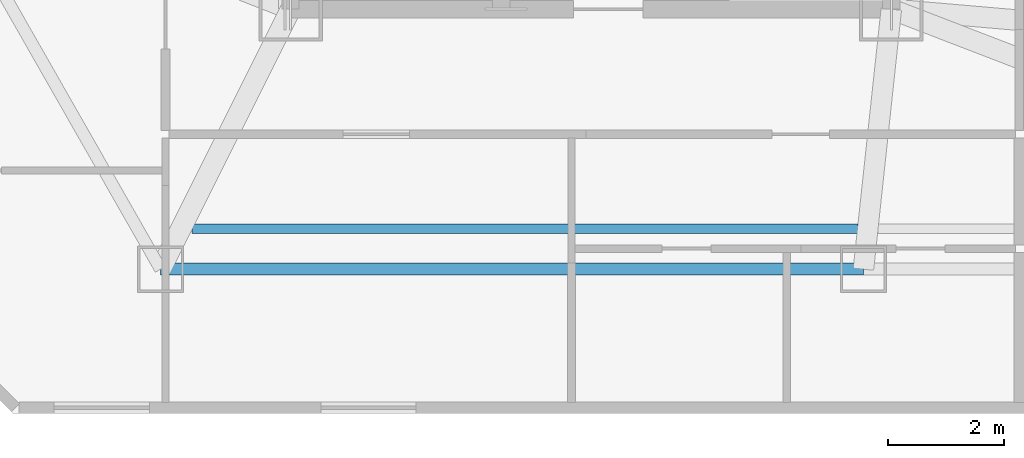
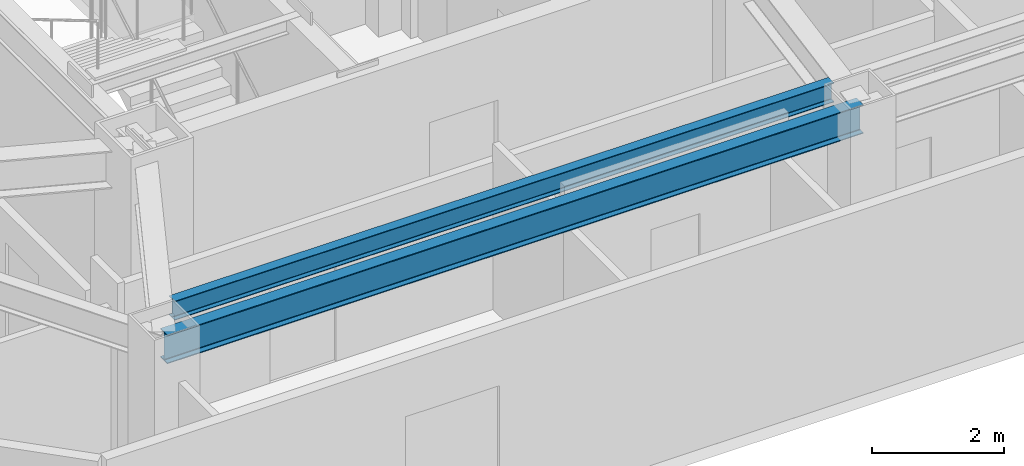
# One storey, part 3 of 15: 2 beams.
"""IFC4 building model written with IfcOpenShell, lengths in metres."""

from ifc_helpers import new_model, si_unit, direction, frame, origin, origin_2d, place, context, subcontext, project, spatial, i_section, extrude, material, material_profile, profile_set, type_object, element, save


model = new_model("IFC4")

# Units and contexts
model_context = context("Model", 3, precision=1e-05, world=origin(), true_north=direction((0.0, 1.0)))
body_context = subcontext(model_context, "Body", "Model", "MODEL_VIEW")
ifc_project = project(units=[si_unit("LENGTHUNIT", "METRE"), si_unit("AREAUNIT", "SQUARE_METRE"), si_unit("VOLUMEUNIT", "CUBIC_METRE"), si_unit("PLANEANGLEUNIT", "RADIAN"), si_unit("MASSUNIT", "GRAM", prefix="KILO")], contexts=[model_context])

# Site, building, storey
site_placement = place(None, origin())
site = spatial("IfcSite", under=ifc_project, at=site_placement, CompositionType="ELEMENT")
building_placement = place(site_placement, origin())
building = spatial("IfcBuilding", under=site, at=building_placement, Name="Khamvora Tower", CompositionType="ELEMENT")
storey_placement = place(building_placement, frame((0.0, 0.0, 220.85009765625)))
storey = spatial("IfcBuildingStorey", under=building, at=storey_placement, Name="L56", CompositionType="ELEMENT", Elevation=220.85009765625)

# Beams
ifc_material = material(Name="Steel S355", Category="steel")
ifc_material_profile_1 = material_profile(ifc_material, i_section(OverallWidth=0.1708984375, OverallDepth=0.35498046875, WebThickness=0.007080078125, FlangeThickness=0.011962890625, FilletRadius=0.010009765625, at=origin_2d()), Name="W360x51")
ifc_profile_set_1 = profile_set([ifc_material_profile_1], Name="Steel S355")
beam_type_1 = type_object("IfcBeamType", Name="BM-JS-W360x51", PredefinedType="JOIST", material=ifc_profile_set_1)
beam_1_placement = place(storey_placement, frame((27.29296875, 15.199951171875, 3.251953125), z_axis=(1.0, 0.0, 0.0), x_axis=(0.0, 1.0, 0.0)))
element("IfcBeam", 1, at=beam_1_placement, inside=storey, type_object=beam_type_1, Name="L56 secondary floor joist 01", PredefinedType="JOIST", context=body_context, shape_type="SweptSolid", body=[
    extrude(i_section(OverallWidth=0.1708984375, OverallDepth=0.35498046875, WebThickness=0.007080078125, FlangeThickness=0.011962890625, FilletRadius=0.010009765625, at=origin_2d()), origin(), (0.0, 0.0, 1.0), 11.526123046875),
])
ifc_material_profile_2 = material_profile(ifc_material, i_section(OverallWidth=0.208984375, OverallDepth=0.532958984375, WebThickness=0.010009765625, FlangeThickness=0.01611328125, FilletRadius=0.013916015625, at=origin_2d()), Name="W530x92")
ifc_profile_set_2 = profile_set([ifc_material_profile_2], Name="Steel S355")
beam_type_2 = type_object("IfcBeamType", Name="BM-SP-W530x92", PredefinedType="SPANDREL", material=ifc_profile_set_2)
beam_2_placement = place(storey_placement, frame((26.75, 14.5, 3.162841796875), z_axis=(1.0, 0.0, 0.0), x_axis=(0.0, 1.0, 0.0)))
element("IfcBeam", 2, at=beam_2_placement, inside=storey, type_object=beam_type_2, Name="L56 perimeter spandrel beam S1-S2", PredefinedType="SPANDREL", context=body_context, shape_type="SweptSolid", body=[
    extrude(i_section(OverallWidth=0.208984375, OverallDepth=0.532958984375, WebThickness=0.010009765625, FlangeThickness=0.01611328125, FilletRadius=0.013916015625, at=origin_2d()), origin(), (0.0, 0.0, 1.0), 12.1669921875),
])

save(model, "model.ifc")
